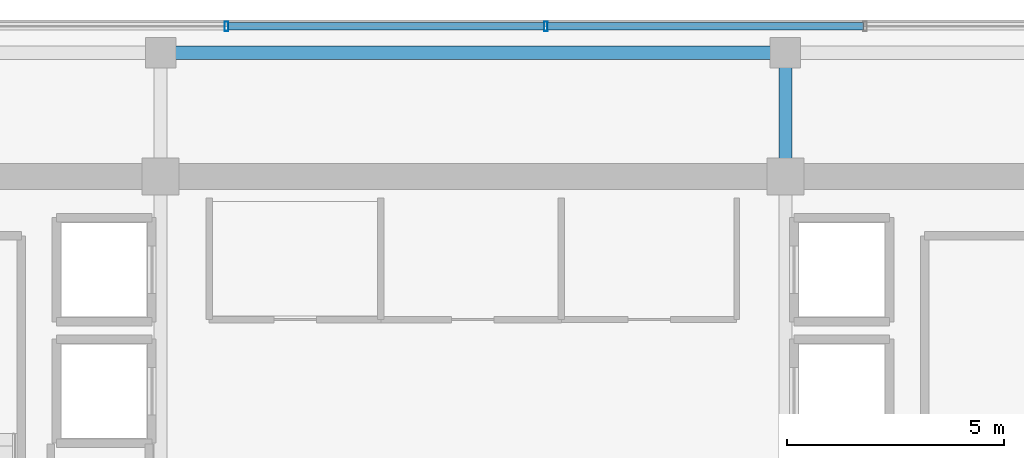
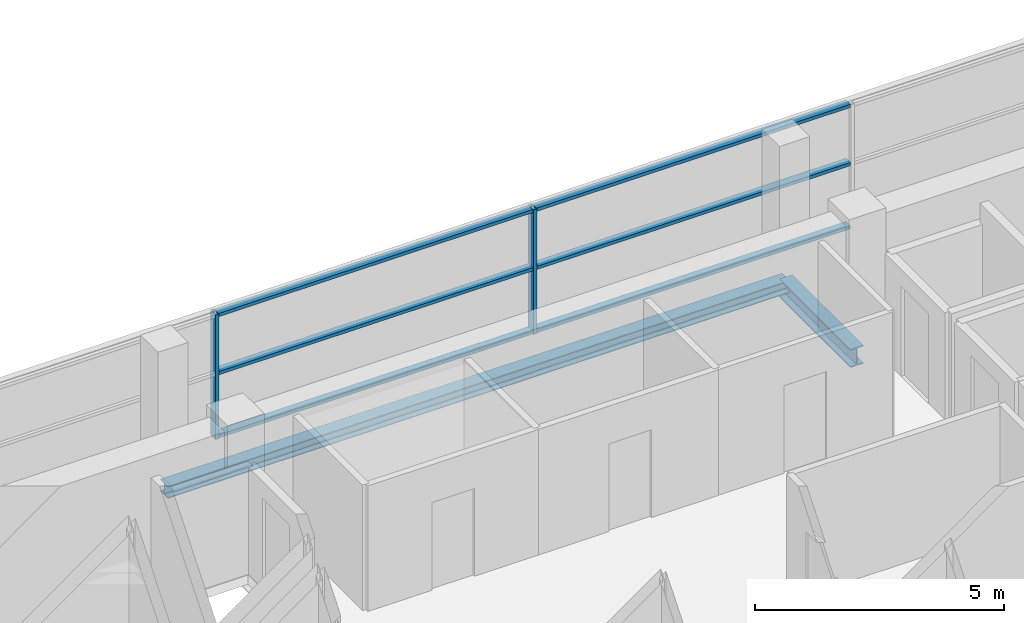
# One storey, part 13 of 22: 8 members, 2 beams, 1 element without a shape of its own.
"""IFC4 building model written with IfcOpenShell, lengths in metres."""

from ifc_helpers import new_model, si_unit, direction, frame, origin, origin_2d, place, context, subcontext, project, spatial, hollow_rectangle, i_section, extrude, source, transform, mapped, material, layer, layer_set, material_profile, profile_set, type_object, element, aggregate, save


model = new_model("IFC4")

# Units and contexts
model_context = context("Model", 3, precision=1e-05, world=origin(), true_north=direction((0.0, 1.0)))
body_context = subcontext(model_context, "Body", "Model", "MODEL_VIEW")
ifc_project = project(units=[si_unit("LENGTHUNIT", "METRE"), si_unit("AREAUNIT", "SQUARE_METRE"), si_unit("VOLUMEUNIT", "CUBIC_METRE"), si_unit("PLANEANGLEUNIT", "RADIAN"), si_unit("MASSUNIT", "GRAM", prefix="KILO")], contexts=[model_context])

# Site, building, storey
site_placement = place(None, origin())
site = spatial("IfcSite", under=ifc_project, at=site_placement, CompositionType="ELEMENT")
building_placement = place(site_placement, origin())
building = spatial("IfcBuilding", under=site, at=building_placement, Name="Zarnakvel Exchange Tower", CompositionType="ELEMENT")
storey_placement = place(building_placement, frame((0.0, 0.0, 225.39990234375)))
storey = spatial("IfcBuildingStorey", under=building, at=storey_placement, Name="L63", CompositionType="ELEMENT", Elevation=225.39990234375)

# Beams
ifc_material_1 = material(Name="Steel S355", Category="steel")
ifc_material_profile_1 = material_profile(ifc_material_1, i_section(OverallWidth=0.300048828125, OverallDepth=0.449951171875, WebThickness=0.013916015625, FlangeThickness=0.02587890625, FilletRadius=0.027099609375, at=origin_2d()))
ifc_profile_set_1 = profile_set([ifc_material_profile_1], Name="Steel S355")
beam_type_1 = type_object("IfcBeamType", Name="G-07", PredefinedType="BEAM", material=ifc_profile_set_1)
beam_1_placement = place(storey_placement, frame((7.199951171875, 13.5, -0.449951171875), z_axis=(0.0, 1.0, 0.0), x_axis=(-1.0, 0.0, 0.0)))
element("IfcBeam", 1, at=beam_1_placement, inside=storey, type_object=beam_type_1, Name="L63 Tower N-S Frame Beam", PredefinedType="BEAM", context=body_context, shape_type="SweptSolid", body=[
    extrude(i_section(OverallWidth=0.300048828125, OverallDepth=0.449951171875, WebThickness=0.013916015625, FlangeThickness=0.02587890625, FilletRadius=0.027099609375, at=origin_2d()), origin(), (0.0, 0.0, 1.0), 2.85009765625),
])
ifc_material_profile_2 = material_profile(ifc_material_1, i_section(OverallWidth=0.300048828125, OverallDepth=0.300048828125, WebThickness=0.010986328125, FlangeThickness=0.01904296875, FilletRadius=0.027099609375, at=origin_2d()))
ifc_profile_set_2 = profile_set([ifc_material_profile_2], Name="Steel S355")
beam_type_2 = type_object("IfcBeamType", Name="SP-03", PredefinedType="SPANDREL", material=ifc_profile_set_2)
beam_2_placement = place(storey_placement, frame((-7.199951171875, 16.35009765625, -0.375), z_axis=(1.0, 0.0, 0.0), x_axis=(0.0, 1.0, 0.0)))
element("IfcBeam", 2, at=beam_2_placement, inside=storey, type_object=beam_type_2, Name="L63 Tower E-W Frame Beam", PredefinedType="SPANDREL", context=body_context, shape_type="SweptSolid", body=[
    extrude(i_section(OverallWidth=0.300048828125, OverallDepth=0.300048828125, WebThickness=0.010986328125, FlangeThickness=0.01904296875, FilletRadius=0.027099609375, at=origin_2d()), origin(), (0.0, 0.0, 1.0), 14.39990234375),
])

# Curtain wall, members
ifc_material_2 = material(Name="Architectural Bronze Anodised Aluminium", Category="aluminium")
ifc_layer = layer(ifc_material_2, 0.219970703125)
ifc_layer_set = layer_set([ifc_layer], Name="Architectural Bronze Anodised Aluminium")
curtain_wall_type = type_object("IfcCurtainWallType", Name="CW-03", PredefinedType="NOTDEFINED", material=ifc_layer_set)
curtain_wall_placement = place(storey_placement, origin())
curtain_wall = element("IfcCurtainWall", 3, at=curtain_wall_placement, inside=storey, type_object=curtain_wall_type, Name="L63 Curtain Wall CW-L63-N1 (CW-03)", PredefinedType="NOTDEFINED")
ifc_material_profile_3 = material_profile(ifc_material_2, hollow_rectangle(XDim=0.219970703125, YDim=0.080078125, WallThickness=0.0048828125, at=origin_2d()))
ifc_profile_set_3 = profile_set([ifc_material_profile_3], Name="Architectural Bronze Anodised Aluminium")
member_type_1 = type_object("IfcMemberType", Name="CWM-03", PredefinedType="MULLION", material=ifc_profile_set_3)
shared_shape_1 = source(origin(), body_context, "Body", "SweptSolid", [
    extrude(hollow_rectangle(XDim=0.219970703125, YDim=0.080078125, WallThickness=0.0048828125, at=origin_2d()), origin(), (0.0, 0.0, 1.0), 3.05517578125),
])
member_1_placement = place(storey_placement, frame((-5.679931640625, 16.9599609375, 0.0), z_axis=(0.0, 0.0, 1.0), x_axis=(0.0, 1.0, 0.0)))
member_1 = element("IfcMember", 4, at=member_1_placement, type_object=member_type_1, Name="CW-03 mullion 3", PredefinedType="MULLION", context=body_context, shape_type="MappedRepresentation", body=[
    mapped(shared_shape_1, transform((0.0, 0.0, 0.0), x_axis=(1.0, 0.0, 0.0), y_axis=(0.0, 1.0, 0.0), z_axis=(0.0, 0.0, 1.0), scale=1.0)),
])
member_2_placement = place(storey_placement, frame((1.679931640625, 16.9599609375, 0.0), z_axis=(0.0, 0.0, 1.0), x_axis=(0.0, 1.0, 0.0)))
member_2 = element("IfcMember", 5, at=member_2_placement, type_object=member_type_1, Name="CW-03 mullion 4", PredefinedType="MULLION", context=body_context, shape_type="MappedRepresentation", body=[
    mapped(shared_shape_1, transform((0.0, 0.0, 0.0), x_axis=(1.0, 0.0, 0.0), y_axis=(0.0, 1.0, 0.0), z_axis=(0.0, 0.0, 1.0), scale=1.0)),
])
ifc_material_profile_4 = material_profile(ifc_material_2, hollow_rectangle(XDim=0.179931640625, YDim=0.080078125, WallThickness=0.00390625, at=origin_2d()))
ifc_profile_set_4 = profile_set([ifc_material_profile_4], Name="Architectural Bronze Anodised Aluminium")
member_type_2 = type_object("IfcMemberType", Name="CWT-03", PredefinedType="USERDEFINED", material=ifc_profile_set_4)
shared_shape_2 = source(origin(), body_context, "Body", "SweptSolid", [
    extrude(hollow_rectangle(XDim=0.179931640625, YDim=0.080078125, WallThickness=0.00390625, at=origin_2d()), origin(), (0.0, 0.0, 1.0), 7.280029296875),
])
member_3_placement = place(storey_placement, frame((1.719970703125, 16.9599609375, 0.0400390625), z_axis=(1.0, 0.0, 0.0), x_axis=(0.0, 1.0, 0.0)))
member_3 = element("IfcMember", 6, at=member_3_placement, type_object=member_type_2, Name="CW-03 transom 4.1", ObjectType="TRANSOM", PredefinedType="USERDEFINED", context=body_context, shape_type="MappedRepresentation", body=[
    mapped(shared_shape_2, transform((0.0, 0.0, 0.0), x_axis=(1.0, 0.0, 0.0), y_axis=(0.0, 1.0, 0.0), z_axis=(0.0, 0.0, 1.0), scale=1.0)),
])
member_4_placement = place(storey_placement, frame((1.719970703125, 16.9599609375, 1.588623046875), z_axis=(1.0, 0.0, 0.0), x_axis=(0.0, 1.0, 0.0)))
member_4 = element("IfcMember", 7, at=member_4_placement, type_object=member_type_2, Name="CW-03 transom 4.2", ObjectType="TRANSOM", PredefinedType="USERDEFINED", context=body_context, shape_type="MappedRepresentation", body=[
    mapped(shared_shape_2, transform((0.0, 0.0, 0.0), x_axis=(1.0, 0.0, 0.0), y_axis=(0.0, 1.0, 0.0), z_axis=(0.0, 0.0, 1.0), scale=1.0)),
])
member_5_placement = place(storey_placement, frame((1.719970703125, 16.9599609375, 3.01513671875), z_axis=(1.0, 0.0, 0.0), x_axis=(0.0, 1.0, 0.0)))
member_5 = element("IfcMember", 8, at=member_5_placement, type_object=member_type_2, Name="CW-03 transom 4.3", ObjectType="TRANSOM", PredefinedType="USERDEFINED", context=body_context, shape_type="MappedRepresentation", body=[
    mapped(shared_shape_2, transform((0.0, 0.0, 0.0), x_axis=(1.0, 0.0, 0.0), y_axis=(0.0, 1.0, 0.0), z_axis=(0.0, 0.0, 1.0), scale=1.0)),
])
shared_shape_3 = source(origin(), body_context, "Body", "SweptSolid", [
    extrude(hollow_rectangle(XDim=0.179931640625, YDim=0.080078125, WallThickness=0.00390625, at=origin_2d()), origin(), (0.0, 0.0, 1.0), 7.27978515625),
])
member_6_placement = place(storey_placement, frame((-5.639892578125, 16.9599609375, 0.0400390625), z_axis=(1.0, 0.0, 0.0), x_axis=(0.0, 1.0, 0.0)))
member_6 = element("IfcMember", 9, at=member_6_placement, type_object=member_type_2, Name="CW-03 transom 3.1", ObjectType="TRANSOM", PredefinedType="USERDEFINED", context=body_context, shape_type="MappedRepresentation", body=[
    mapped(shared_shape_3, transform((0.0, 0.0, 0.0), x_axis=(1.0, 0.0, 0.0), y_axis=(0.0, 1.0, 0.0), z_axis=(0.0, 0.0, 1.0), scale=1.0)),
])
member_7_placement = place(storey_placement, frame((-5.639892578125, 16.9599609375, 1.588623046875), z_axis=(1.0, 0.0, 0.0), x_axis=(0.0, 1.0, 0.0)))
member_7 = element("IfcMember", 10, at=member_7_placement, type_object=member_type_2, Name="CW-03 transom 3.2", ObjectType="TRANSOM", PredefinedType="USERDEFINED", context=body_context, shape_type="MappedRepresentation", body=[
    mapped(shared_shape_3, transform((0.0, 0.0, 0.0), x_axis=(1.0, 0.0, 0.0), y_axis=(0.0, 1.0, 0.0), z_axis=(0.0, 0.0, 1.0), scale=1.0)),
])
member_8_placement = place(storey_placement, frame((-5.639892578125, 16.9599609375, 3.01513671875), z_axis=(1.0, 0.0, 0.0), x_axis=(0.0, 1.0, 0.0)))
member_8 = element("IfcMember", 11, at=member_8_placement, type_object=member_type_2, Name="CW-03 transom 3.3", ObjectType="TRANSOM", PredefinedType="USERDEFINED", context=body_context, shape_type="MappedRepresentation", body=[
    mapped(shared_shape_3, transform((0.0, 0.0, 0.0), x_axis=(1.0, 0.0, 0.0), y_axis=(0.0, 1.0, 0.0), z_axis=(0.0, 0.0, 1.0), scale=1.0)),
])
aggregate(curtain_wall, [member_1, member_2, member_6, member_7, member_8, member_3, member_4, member_5])

save(model, "model.ifc")
